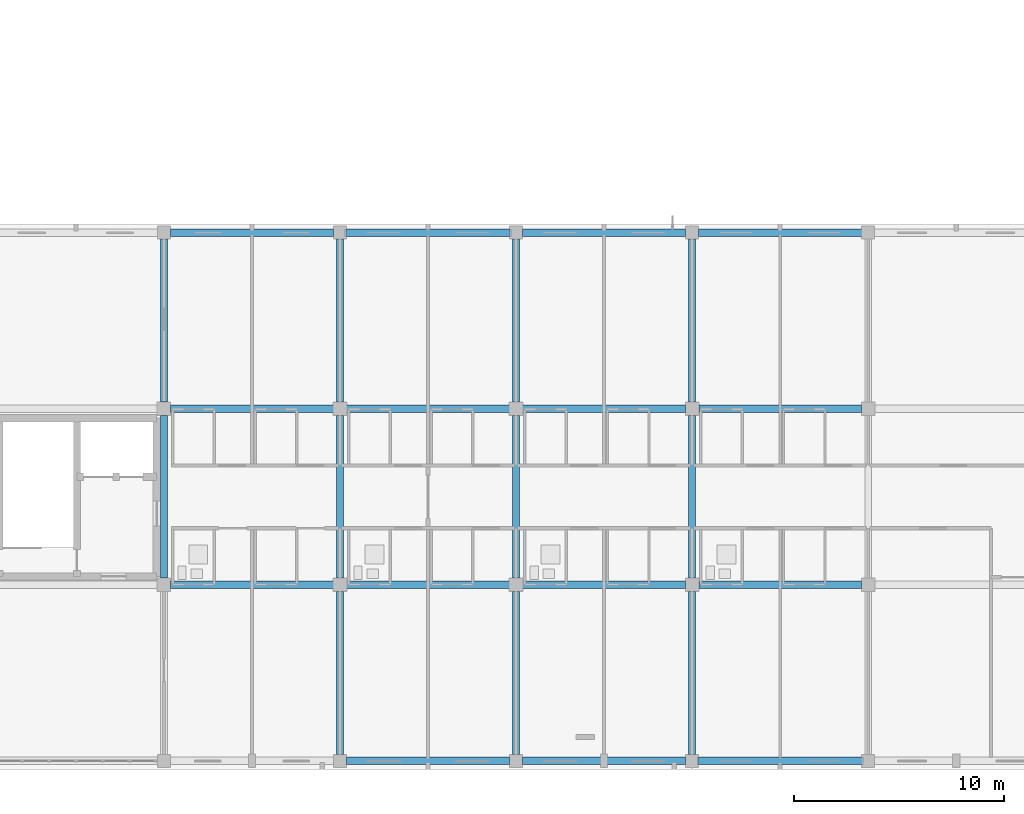
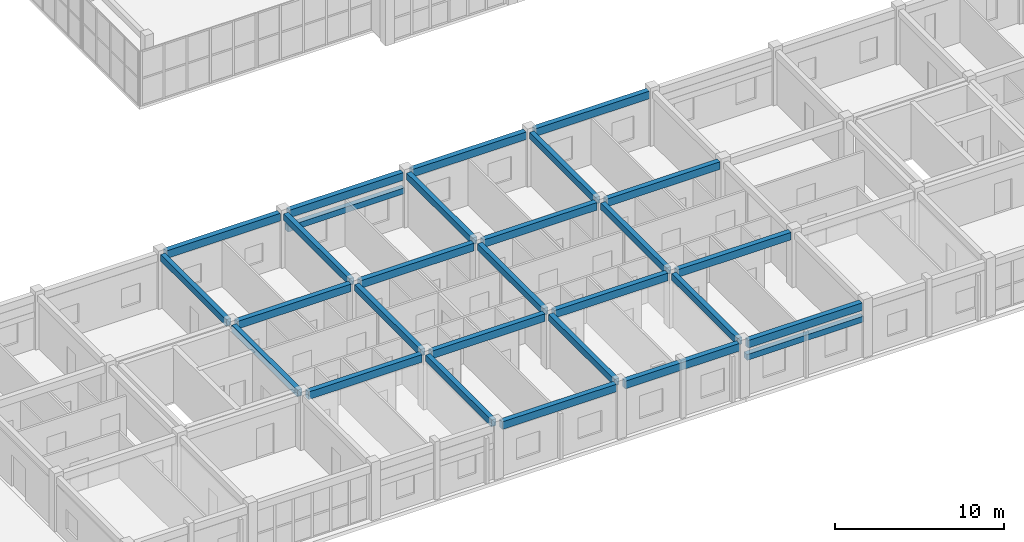
# One storey, part 13 of 81: 28 beams.
"""IFC4 building model written with IfcOpenShell, lengths in metres."""

from ifc_helpers import new_model, si_unit, direction, frame, origin, origin_2d, place, context, subcontext, project, spatial, rectangle, extrude, material, material_profile, profile_set, type_object, element, save


model = new_model("IFC4")

# Units and contexts
model_context = context("Model", 3, precision=1e-05, world=origin(), true_north=direction((0.0, 1.0)))
body_context = subcontext(model_context, "Body", "Model", "MODEL_VIEW")
ifc_project = project(units=[si_unit("LENGTHUNIT", "METRE"), si_unit("AREAUNIT", "SQUARE_METRE"), si_unit("VOLUMEUNIT", "CUBIC_METRE"), si_unit("PLANEANGLEUNIT", "RADIAN"), si_unit("MASSUNIT", "GRAM", prefix="KILO")], contexts=[model_context])

# Site, building, storey
site_placement = place(None, origin())
site = spatial("IfcSite", under=ifc_project, at=site_placement, CompositionType="ELEMENT")
building_placement = place(site_placement, origin())
building = spatial("IfcBuilding", under=site, at=building_placement, Name="Trelvath General Hospital", CompositionType="ELEMENT")
storey_placement = place(building_placement, frame((0.0, 0.0, 24.60009765625)))
storey = spatial("IfcBuildingStorey", under=building, at=storey_placement, Name="L06", CompositionType="ELEMENT", Elevation=24.60009765625)

# Beams
ifc_material_1 = material(Name="Concrete C35/45", Category="concrete")
ifc_material_profile_1 = material_profile(ifc_material_1, rectangle(XDim=0.320068359375, YDim=0.47998046875, at=origin_2d()), Name="RCB320x480")
ifc_profile_set_1 = profile_set([ifc_material_profile_1], Name="Concrete C35/45")
beam_type_1 = type_object("IfcBeamType", Name="Beam RC320x480", PredefinedType="BEAM", material=ifc_profile_set_1)
beam_1_placement = place(storey_placement, frame((50.39990234375, 8.719970703125, 3.679931640625), z_axis=(0.0, 1.0, 0.0), x_axis=(-1.0, 0.0, 0.0)))
element("IfcBeam", 1, at=beam_1_placement, inside=storey, type_object=beam_type_1, Name="Grid Beam BY-606B", PredefinedType="BEAM", context=body_context, shape_type="SweptSolid", body=[
    extrude(rectangle(XDim=0.320068359375, YDim=0.47998046875, at=origin_2d()), origin(), (0.0, 0.0, 1.0), 7.760009765625),
])
beam_2_placement = place(storey_placement, frame((50.39990234375, 17.1201171875, 3.679931640625), z_axis=(0.0, 1.0, 0.0), x_axis=(-1.0, 0.0, 0.0)))
element("IfcBeam", 2, at=beam_2_placement, inside=storey, type_object=beam_type_1, Name="Grid Beam BY-606C", PredefinedType="BEAM", context=body_context, shape_type="SweptSolid", body=[
    extrude(rectangle(XDim=0.320068359375, YDim=0.47998046875, at=origin_2d()), origin(), (0.0, 0.0, 1.0), 7.77490234375),
])
beam_3_placement = place(storey_placement, frame((58.800048828125, 0.304931640625, 3.679931640625), z_axis=(0.0, 1.0, 0.0), x_axis=(-1.0, 0.0, 0.0)))
element("IfcBeam", 3, at=beam_3_placement, inside=storey, type_object=beam_type_1, Name="Grid Beam BY-607A", PredefinedType="BEAM", context=body_context, shape_type="SweptSolid", body=[
    extrude(rectangle(XDim=0.320068359375, YDim=0.47998046875, at=origin_2d()), origin(), (0.0, 0.0, 1.0), 7.775146484375),
])
beam_4_placement = place(storey_placement, frame((58.800048828125, 8.719970703125, 3.679931640625), z_axis=(0.0, 1.0, 0.0), x_axis=(-1.0, 0.0, 0.0)))
element("IfcBeam", 4, at=beam_4_placement, inside=storey, type_object=beam_type_1, Name="Grid Beam BY-607B", PredefinedType="BEAM", context=body_context, shape_type="SweptSolid", body=[
    extrude(rectangle(XDim=0.320068359375, YDim=0.47998046875, at=origin_2d()), origin(), (0.0, 0.0, 1.0), 7.760009765625),
])
beam_5_placement = place(storey_placement, frame((58.800048828125, 17.1201171875, 3.679931640625), z_axis=(0.0, 1.0, 0.0), x_axis=(-1.0, 0.0, 0.0)))
element("IfcBeam", 5, at=beam_5_placement, inside=storey, type_object=beam_type_1, Name="Grid Beam BY-607C", PredefinedType="BEAM", context=body_context, shape_type="SweptSolid", body=[
    extrude(rectangle(XDim=0.320068359375, YDim=0.47998046875, at=origin_2d()), origin(), (0.0, 0.0, 1.0), 7.77490234375),
])
beam_6_placement = place(storey_placement, frame((67.199951171875, 0.304931640625, 3.679931640625), z_axis=(0.0, 1.0, 0.0), x_axis=(-1.0, 0.0, 0.0)))
element("IfcBeam", 6, at=beam_6_placement, inside=storey, type_object=beam_type_1, Name="Grid Beam BY-608A", PredefinedType="BEAM", context=body_context, shape_type="SweptSolid", body=[
    extrude(rectangle(XDim=0.320068359375, YDim=0.47998046875, at=origin_2d()), origin(), (0.0, 0.0, 1.0), 7.775146484375),
])
beam_7_placement = place(storey_placement, frame((67.199951171875, 8.719970703125, 3.679931640625), z_axis=(0.0, 1.0, 0.0), x_axis=(-1.0, 0.0, 0.0)))
element("IfcBeam", 7, at=beam_7_placement, inside=storey, type_object=beam_type_1, Name="Grid Beam BY-608B", PredefinedType="BEAM", context=body_context, shape_type="SweptSolid", body=[
    extrude(rectangle(XDim=0.320068359375, YDim=0.47998046875, at=origin_2d()), origin(), (0.0, 0.0, 1.0), 7.760009765625),
])
beam_8_placement = place(storey_placement, frame((67.199951171875, 17.1201171875, 3.679931640625), z_axis=(0.0, 1.0, 0.0), x_axis=(-1.0, 0.0, 0.0)))
element("IfcBeam", 8, at=beam_8_placement, inside=storey, type_object=beam_type_1, Name="Grid Beam BY-608C", PredefinedType="BEAM", context=body_context, shape_type="SweptSolid", body=[
    extrude(rectangle(XDim=0.320068359375, YDim=0.47998046875, at=origin_2d()), origin(), (0.0, 0.0, 1.0), 7.77490234375),
])
beam_9_placement = place(storey_placement, frame((75.60009765625, 0.304931640625, 3.679931640625), z_axis=(0.0, 1.0, 0.0), x_axis=(-1.0, 0.0, 0.0)))
element("IfcBeam", 9, at=beam_9_placement, inside=storey, type_object=beam_type_1, Name="Grid Beam BY-609A", PredefinedType="BEAM", context=body_context, shape_type="SweptSolid", body=[
    extrude(rectangle(XDim=0.320068359375, YDim=0.47998046875, at=origin_2d()), origin(), (0.0, 0.0, 1.0), 7.775146484375),
])
beam_10_placement = place(storey_placement, frame((75.60009765625, 8.719970703125, 3.679931640625), z_axis=(0.0, 1.0, 0.0), x_axis=(-1.0, 0.0, 0.0)))
element("IfcBeam", 10, at=beam_10_placement, inside=storey, type_object=beam_type_1, Name="Grid Beam BY-609B", PredefinedType="BEAM", context=body_context, shape_type="SweptSolid", body=[
    extrude(rectangle(XDim=0.320068359375, YDim=0.47998046875, at=origin_2d()), origin(), (0.0, 0.0, 1.0), 7.760009765625),
])
beam_11_placement = place(storey_placement, frame((75.60009765625, 17.1201171875, 3.679931640625), z_axis=(0.0, 1.0, 0.0), x_axis=(-1.0, 0.0, 0.0)))
element("IfcBeam", 11, at=beam_11_placement, inside=storey, type_object=beam_type_1, Name="Grid Beam BY-609C", PredefinedType="BEAM", context=body_context, shape_type="SweptSolid", body=[
    extrude(rectangle(XDim=0.320068359375, YDim=0.47998046875, at=origin_2d()), origin(), (0.0, 0.0, 1.0), 7.77490234375),
])
ifc_material_2 = material(Name="Concrete C35/45", Category="concrete")
ifc_material_profile_2 = material_profile(ifc_material_2, rectangle(XDim=0.35009765625, YDim=0.550048828125, at=origin_2d()), Name="RCB350x550")
ifc_profile_set_2 = profile_set([ifc_material_profile_2], Name="Concrete C35/45")
beam_type_2 = type_object("IfcBeamType", Name="Beam RC350x550", PredefinedType="BEAM", material=ifc_profile_set_2)
for number, where, z_axis, x_axis, name in (
    (12, (50.719970703125, 8.39990234375, 3.64501953125), (1.0, 0.0, 0.0), (0.0, 1.0, 0.0), "Grid Beam BX-606B"),
    (13, (50.719970703125, 16.800048828125, 3.64501953125), (1.0, 0.0, 0.0), (0.0, 1.0, 0.0), "Grid Beam BX-606C"),
):
    element("IfcBeam", number, at=place(storey_placement, frame(where, z_axis=z_axis, x_axis=x_axis)), inside=storey, type_object=beam_type_2, Name=name, PredefinedType="BEAM", context=body_context, shape_type="SweptSolid", body=[
        extrude(rectangle(XDim=0.35009765625, YDim=0.550048828125, at=origin_2d()), origin(), (0.0, 0.0, 1.0), 7.760009765625),
    ])
for number, where, z_axis, x_axis, name in (
    (14, (50.705078125, 25.199951171875, 3.64501953125), (1.0, 0.0, 0.0), (0.0, 1.0, 0.0), "Grid Beam BX-606D"),
    (15, (59.10498046875, 0.0, 3.64501953125), (1.0, 0.0, 0.0), (0.0, 1.0, 0.0), "Grid Beam BX-607A"),
):
    element("IfcBeam", number, at=place(storey_placement, frame(where, z_axis=z_axis, x_axis=x_axis)), inside=storey, type_object=beam_type_2, Name=name, PredefinedType="BEAM", context=body_context, shape_type="SweptSolid", body=[
        extrude(rectangle(XDim=0.35009765625, YDim=0.550048828125, at=origin_2d()), origin(), (0.0, 0.0, 1.0), 7.7900390625),
    ])
for number, where, z_axis, x_axis, name in (
    (16, (59.1201171875, 8.39990234375, 3.64501953125), (1.0, 0.0, 0.0), (0.0, 1.0, 0.0), "Grid Beam BX-607B"),
    (17, (59.1201171875, 16.800048828125, 3.64501953125), (1.0, 0.0, 0.0), (0.0, 1.0, 0.0), "Grid Beam BX-607C"),
):
    element("IfcBeam", number, at=place(storey_placement, frame(where, z_axis=z_axis, x_axis=x_axis)), inside=storey, type_object=beam_type_2, Name=name, PredefinedType="BEAM", context=body_context, shape_type="SweptSolid", body=[
        extrude(rectangle(XDim=0.35009765625, YDim=0.550048828125, at=origin_2d()), origin(), (0.0, 0.0, 1.0), 7.759765625),
    ])
for number, where, z_axis, x_axis, name in (
    (18, (59.10498046875, 25.199951171875, 3.64501953125), (1.0, 0.0, 0.0), (0.0, 1.0, 0.0), "Grid Beam BX-607D"),
    (19, (67.5048828125, 0.0, 3.64501953125), (1.0, 0.0, 0.0), (0.0, 1.0, 0.0), "Grid Beam BX-608A"),
):
    element("IfcBeam", number, at=place(storey_placement, frame(where, z_axis=z_axis, x_axis=x_axis)), inside=storey, type_object=beam_type_2, Name=name, PredefinedType="BEAM", context=body_context, shape_type="SweptSolid", body=[
        extrude(rectangle(XDim=0.35009765625, YDim=0.550048828125, at=origin_2d()), origin(), (0.0, 0.0, 1.0), 7.7900390625),
    ])
for number, where, z_axis, x_axis, name in (
    (20, (67.52001953125, 8.39990234375, 3.64501953125), (1.0, 0.0, 0.0), (0.0, 1.0, 0.0), "Grid Beam BX-608B"),
    (21, (67.52001953125, 16.800048828125, 3.64501953125), (1.0, 0.0, 0.0), (0.0, 1.0, 0.0), "Grid Beam BX-608C"),
):
    element("IfcBeam", number, at=place(storey_placement, frame(where, z_axis=z_axis, x_axis=x_axis)), inside=storey, type_object=beam_type_2, Name=name, PredefinedType="BEAM", context=body_context, shape_type="SweptSolid", body=[
        extrude(rectangle(XDim=0.35009765625, YDim=0.550048828125, at=origin_2d()), origin(), (0.0, 0.0, 1.0), 7.760009765625),
    ])
for number, where, z_axis, x_axis, name in (
    (22, (67.5048828125, 25.199951171875, 3.64501953125), (1.0, 0.0, 0.0), (0.0, 1.0, 0.0), "Grid Beam BX-608D"),
    (23, (75.905029296875, 0.0, 3.64501953125), (1.0, 0.0, 0.0), (0.0, 1.0, 0.0), "Grid Beam BX-609A"),
):
    element("IfcBeam", number, at=place(storey_placement, frame(where, z_axis=z_axis, x_axis=x_axis)), inside=storey, type_object=beam_type_2, Name=name, PredefinedType="BEAM", context=body_context, shape_type="SweptSolid", body=[
        extrude(rectangle(XDim=0.35009765625, YDim=0.550048828125, at=origin_2d()), origin(), (0.0, 0.0, 1.0), 7.7900390625),
    ])
for number, where, z_axis, x_axis, name in (
    (24, (75.919921875, 8.39990234375, 3.64501953125), (1.0, 0.0, 0.0), (0.0, 1.0, 0.0), "Grid Beam BX-609B"),
    (25, (75.919921875, 16.800048828125, 3.64501953125), (1.0, 0.0, 0.0), (0.0, 1.0, 0.0), "Grid Beam BX-609C"),
):
    element("IfcBeam", number, at=place(storey_placement, frame(where, z_axis=z_axis, x_axis=x_axis)), inside=storey, type_object=beam_type_2, Name=name, PredefinedType="BEAM", context=body_context, shape_type="SweptSolid", body=[
        extrude(rectangle(XDim=0.35009765625, YDim=0.550048828125, at=origin_2d()), origin(), (0.0, 0.0, 1.0), 7.760009765625),
    ])
beam_12_placement = place(storey_placement, frame((75.905029296875, 25.199951171875, 3.64501953125), z_axis=(1.0, 0.0, 0.0), x_axis=(0.0, 1.0, 0.0)))
element("IfcBeam", 26, at=beam_12_placement, inside=storey, type_object=beam_type_2, Name="Grid Beam BX-609D", PredefinedType="BEAM", context=body_context, shape_type="SweptSolid", body=[
    extrude(rectangle(XDim=0.35009765625, YDim=0.550048828125, at=origin_2d()), origin(), (0.0, 0.0, 1.0), 7.7900390625),
])
ifc_material_3 = material(Name="Precast concrete C40/50", Category="concrete")
ifc_material_profile_3 = material_profile(ifc_material_3, rectangle(XDim=0.35009765625, YDim=0.419921875, at=origin_2d()), Name="PCL350x420")
ifc_profile_set_3 = profile_set([ifc_material_profile_3], Name="Precast concrete C40/50")
beam_type_3 = type_object("IfcBeamType", Name="Lintel PC350x420", PredefinedType="LINTEL", material=ifc_profile_set_3)
beam_13_placement = place(storey_placement, frame((59.02490234375, 25.199951171875, 2.58984375), z_axis=(1.0, 0.0, 0.0), x_axis=(0.0, 1.0, 0.0)))
element("IfcBeam", 27, at=beam_13_placement, inside=storey, type_object=beam_type_3, Name="Precast Window Brow Lintel L06-567", PredefinedType="LINTEL", context=body_context, shape_type="SweptSolid", body=[
    extrude(rectangle(XDim=0.35009765625, YDim=0.419921875, at=origin_2d()), origin(), (0.0, 0.0, 1.0), 7.9501953125),
])
beam_14_placement = place(storey_placement, frame((83.77490234375, 0.0, 2.719970703125), z_axis=(-1.0, 0.0, 0.0), x_axis=(0.0, -1.0, 0.0)))
element("IfcBeam", 28, at=beam_14_placement, inside=storey, type_object=beam_type_3, Name="Precast Window Brow Lintel L06-574", PredefinedType="LINTEL", context=body_context, shape_type="SweptSolid", body=[
    extrude(rectangle(XDim=0.35009765625, YDim=0.419921875, at=origin_2d()), origin(), (0.0, 0.0, 1.0), 7.949951171875),
])

save(model, "model.ifc")
